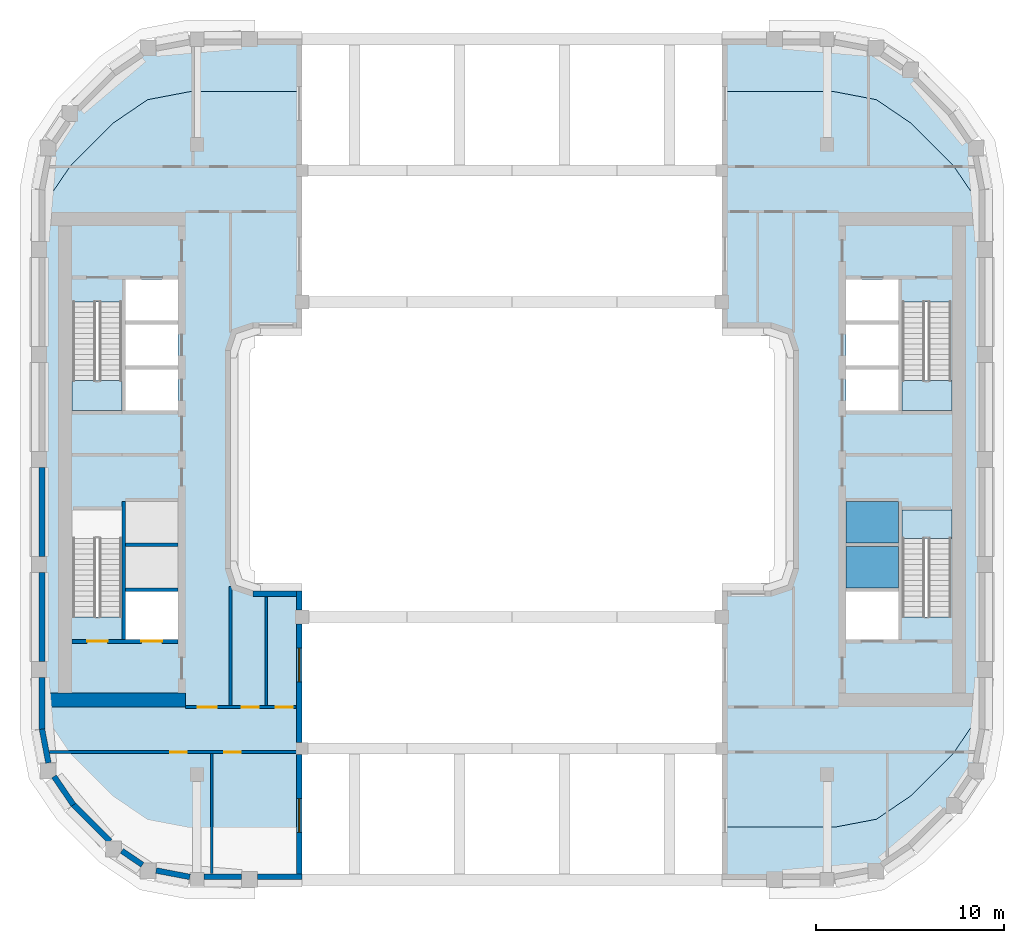
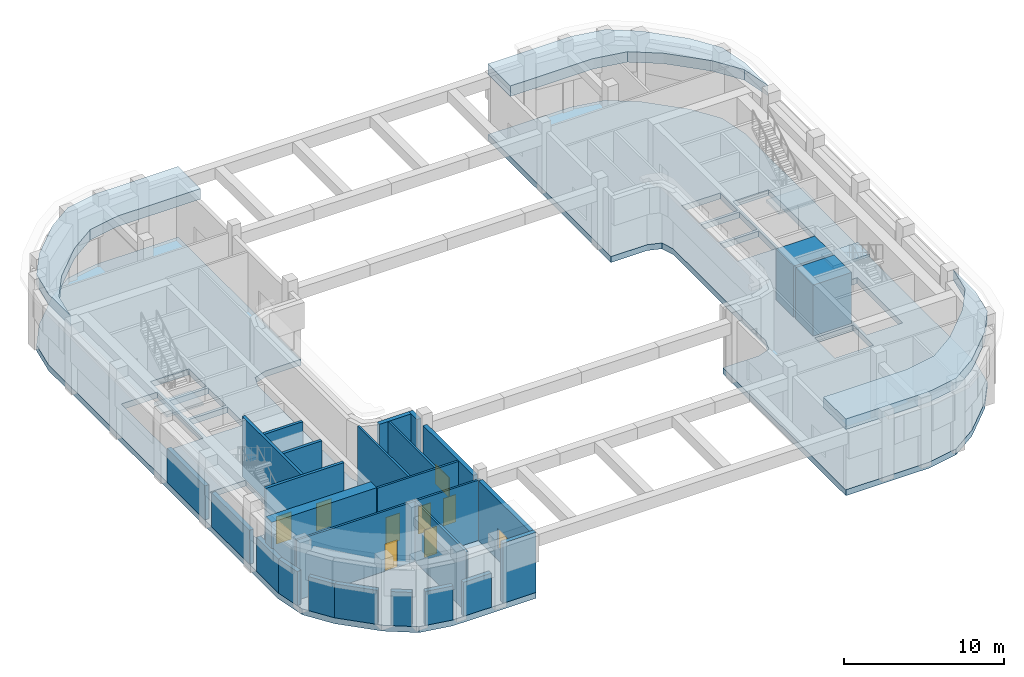
# One storey, part 2 of 13: 24 walls, 10 slabs, 7 doors, 2 windows, 9 openings, 3 elements without a shape of their own.
"""IFC4 building model written with IfcOpenShell, lengths in metres."""

from ifc_helpers import new_model, si_unit, direction, frame, frame_2d, origin, place, context, subcontext, project, spatial, polyline, rectangle, outline, extrude, material, layer, layer_set, type_object, element, fill, aggregate, save


model = new_model("IFC4")

# Units and contexts
model_context = context("Model", 3, precision=1e-05, world=origin(), true_north=direction((0.0, 1.0)))
body_context = subcontext(model_context, "Body", "Model", "MODEL_VIEW")
ifc_project = project(units=[si_unit("LENGTHUNIT", "METRE"), si_unit("AREAUNIT", "SQUARE_METRE"), si_unit("VOLUMEUNIT", "CUBIC_METRE"), si_unit("PLANEANGLEUNIT", "RADIAN"), si_unit("MASSUNIT", "GRAM", prefix="KILO")], contexts=[model_context])

# Site, building, storey
site_placement = place(None, origin())
site = spatial("IfcSite", under=ifc_project, at=site_placement, CompositionType="ELEMENT")
building_placement = place(site_placement, origin())
building = spatial("IfcBuilding", under=site, at=building_placement, Name="Kiln Ring Residences", CompositionType="ELEMENT")
storey_placement = place(building_placement, frame((0.0, 0.0, 236.300048828125)))
storey = spatial("IfcBuildingStorey", under=building, at=storey_placement, Name="L61", CompositionType="ELEMENT", Elevation=236.300048828125)

# Slabs
ifc_material_1 = material(Name="Concrete C40/50", Category="concrete")
ifc_layer_1 = layer(ifc_material_1, 3.89990234375)
ifc_layer_set_1 = layer_set([ifc_layer_1], Name="CORE-PIT-BASE-3900")
slab_type_1 = type_object("IfcSlabType", Name="CORE-PIT-BASE-3900", PredefinedType="USERDEFINED", material=ifc_layer_set_1)
placement_1 = place(storey_placement, origin())
element("IfcSlab", 1, at=placement_1, inside=storey, type_object=slab_type_1, Name="Lift pit base E-H1", ObjectType="Lift pit base", PredefinedType="USERDEFINED", context=body_context, shape_type="SweptSolid", body=[
    extrude(outline(polyline([(17.800048828125, -6.85009765625), (20.60009765625, -6.85009765625), (20.60009765625, -4.64990234375), (17.800048828125, -4.64990234375), (17.800048828125, -6.85009765625)])), origin(), (0.0, 0.0, 1.0), 3.89990234375),
])
element("IfcSlab", 2, at=placement_1, inside=storey, type_object=slab_type_1, Name="Lift pit base E-H2", ObjectType="Lift pit base", PredefinedType="USERDEFINED", context=body_context, shape_type="SweptSolid", body=[
    extrude(outline(polyline([(17.800048828125, -4.449951171875), (20.60009765625, -4.449951171875), (20.60009765625, -2.25), (17.800048828125, -2.25), (17.800048828125, -4.449951171875)])), origin(), (0.0, 0.0, 1.0), 3.89990234375),
])

# Stair, slab
ifc_material_2 = material(Name="Concrete C40/50", Category="concrete")
stair_type = type_object("IfcStairType", Name="CORE-STAIR", PredefinedType="HALF_TURN_STAIR", material=ifc_material_2)
stair_1 = element("IfcStair", 3, at=placement_1, inside=storey, type_object=stair_type, Name="L61 stair W-STN", PredefinedType="HALF_TURN_STAIR")
ifc_material_3 = material(Name="Concrete C40/50", Category="concrete")
ifc_layer_2 = layer(ifc_material_3, 0.199951171875)
ifc_layer_set_2 = layer_set([ifc_layer_2], Name="CORE-STAIR-LANDING")
slab_type_2 = type_object("IfcSlabType", Name="CORE-STAIR-LANDING", PredefinedType="LANDING", material=ifc_layer_set_2)
placement_2 = place(storey_placement, frame((0.0, 0.0, 2.5)))
slab_3 = element("IfcSlab", 4, at=placement_2, type_object=slab_type_2, Name="W-STN landing 1", PredefinedType="LANDING", context=body_context, shape_type="SweptSolid", body=[
    extrude(outline(polyline([(-23.449951171875, 4.199951171875), (-23.449951171875, 2.60009765625), (-20.800048828125, 2.60009765625), (-20.800048828125, 4.199951171875), (-23.449951171875, 4.199951171875)])), origin(), (0.0, 0.0, 1.0), 0.199951171875),
])
aggregate(stair_1, [slab_3])

stair_2 = element("IfcStair", 5, at=placement_1, inside=storey, type_object=stair_type, Name="L61 stair E-STN", PredefinedType="HALF_TURN_STAIR")
slab_4 = element("IfcSlab", 6, at=placement_2, type_object=slab_type_2, Name="E-STN landing 1", PredefinedType="LANDING", context=body_context, shape_type="SweptSolid", body=[
    extrude(outline(polyline([(20.800048828125, 4.199951171875), (20.800048828125, 2.60009765625), (23.449951171875, 2.60009765625), (23.449951171875, 4.199951171875), (20.800048828125, 4.199951171875)])), origin(), (0.0, 0.0, 1.0), 0.199951171875),
])
aggregate(stair_2, [slab_4])

stair_3 = element("IfcStair", 7, at=placement_1, inside=storey, type_object=stair_type, Name="L61 stair E-STS", PredefinedType="HALF_TURN_STAIR")
slab_5 = element("IfcSlab", 8, at=placement_2, type_object=slab_type_2, Name="E-STS landing 1", PredefinedType="LANDING", context=body_context, shape_type="SweptSolid", body=[
    extrude(outline(polyline([(23.449951171875, -4.199951171875), (23.449951171875, -2.699951171875), (20.800048828125, -2.699951171875), (20.800048828125, -4.199951171875), (23.449951171875, -4.199951171875)])), origin(), (0.0, 0.0, 1.0), 0.199951171875),
])
aggregate(stair_3, [slab_5])

# Slabs
ifc_material_4 = material(Name="Concrete C40/50", Category="concrete")
ifc_layer_3 = layer(ifc_material_4, 0.449951171875)
ifc_layer_set_3 = layer_set([ifc_layer_3], Name="Floor slab 450")
slab_type_3 = type_object("IfcSlabType", Name="Floor slab 450", PredefinedType="FLOOR", material=ifc_layer_set_3)
placement_3 = place(storey_placement, frame((0.0, 0.0, -0.449951171875)))
element("IfcSlab", 9, at=placement_3, inside=storey, type_object=slab_type_3, Name="Floor slab L61 1", PredefinedType="FLOOR", context=body_context, shape_type="SweptSolid", body=[
    extrude(outline(polyline([(-25.199951171875, -14.39990234375), (-24.775634765625, -16.624267578125), (-23.5029296875, -18.4970703125), (-21.297119140625, -20.702880859375), (-19.42431640625, -21.975830078125), (-17.199951171875, -22.39990234375), (-11.199951171875, -22.39990234375), (-11.199951171875, -7.0), (-13.800048828125, -7.0), (-14.699951171875, -6.699951171875), (-15.0, -5.800048828125), (-15.0, 5.800048828125), (-14.699951171875, 6.699951171875), (-13.800048828125, 7.0), (-11.199951171875, 7.0), (-11.199951171875, 22.39990234375), (-17.199951171875, 22.39990234375), (-19.42431640625, 21.975830078125), (-21.297119140625, 20.702880859375), (-23.5029296875, 18.4970703125), (-24.775634765625, 16.624267578125), (-25.199951171875, 14.39990234375), (-25.199951171875, -14.39990234375)]), holes=[polyline([(-17.800048828125, -7.050048828125), (-17.800048828125, -9.60009765625), (-20.60009765625, -9.60009765625), (-20.60009765625, -7.050048828125), (-17.800048828125, -7.050048828125)]), polyline([(-17.800048828125, 2.60009765625), (-20.60009765625, 2.60009765625), (-20.60009765625, 4.800048828125), (-17.800048828125, 4.800048828125), (-17.800048828125, 2.60009765625)]), polyline([(-17.800048828125, 5.0), (-20.60009765625, 5.0), (-20.60009765625, 7.199951171875), (-17.800048828125, 7.199951171875), (-17.800048828125, 5.0)]), polyline([(-17.800048828125, 7.39990234375), (-20.60009765625, 7.39990234375), (-20.60009765625, 9.60009765625), (-17.800048828125, 9.60009765625), (-17.800048828125, 7.39990234375)]), polyline([(-20.800048828125, -8.39794921875), (-23.39990234375, -8.39794921875), (-23.39990234375, -2.699951171875), (-20.800048828125, -2.699951171875), (-20.800048828125, -8.39794921875)]), polyline([(-20.800048828125, 8.39794921875), (-20.800048828125, 2.60009765625), (-23.39990234375, 2.60009765625), (-23.39990234375, 8.39794921875), (-20.800048828125, 8.39794921875)])]), origin(), (0.0, 0.0, 1.0), 0.449951171875),
])
element("IfcSlab", 10, at=placement_3, inside=storey, type_object=slab_type_3, Name="Floor slab L61 2", PredefinedType="FLOOR", context=body_context, shape_type="SweptSolid", body=[
    extrude(outline(polyline([(13.800048828125, -7.0), (11.199951171875, -7.0), (11.199951171875, -22.39990234375), (17.199951171875, -22.39990234375), (19.42431640625, -21.975830078125), (21.297119140625, -20.702880859375), (23.5029296875, -18.4970703125), (24.775634765625, -16.624267578125), (25.199951171875, -14.39990234375), (25.199951171875, 14.39990234375), (24.775634765625, 16.624267578125), (23.5029296875, 18.4970703125), (21.297119140625, 20.702880859375), (19.42431640625, 21.975830078125), (17.199951171875, 22.39990234375), (11.199951171875, 22.39990234375), (11.199951171875, 7.0), (13.800048828125, 7.0), (14.699951171875, 6.699951171875), (15.0, 5.800048828125), (15.0, -5.800048828125), (14.699951171875, -6.699951171875), (13.800048828125, -7.0)]), holes=[polyline([(20.800048828125, -8.39794921875), (20.800048828125, -2.699951171875), (23.39990234375, -2.699951171875), (23.39990234375, -8.39794921875), (20.800048828125, -8.39794921875)]), polyline([(23.39990234375, 2.60009765625), (20.800048828125, 2.60009765625), (20.800048828125, 8.39794921875), (23.39990234375, 8.39794921875), (23.39990234375, 2.60009765625)]), polyline([(17.800048828125, 2.60009765625), (17.800048828125, 4.800048828125), (20.60009765625, 4.800048828125), (20.60009765625, 2.60009765625), (17.800048828125, 2.60009765625)]), polyline([(17.800048828125, 5.0), (17.800048828125, 7.199951171875), (20.60009765625, 7.199951171875), (20.60009765625, 5.0), (17.800048828125, 5.0)]), polyline([(17.800048828125, 7.39990234375), (17.800048828125, 9.60009765625), (20.60009765625, 9.60009765625), (20.60009765625, 7.39990234375), (17.800048828125, 7.39990234375)]), polyline([(20.60009765625, -9.60009765625), (17.800048828125, -9.60009765625), (17.800048828125, -7.050048828125), (20.60009765625, -7.050048828125), (20.60009765625, -9.60009765625)])]), origin(), (0.0, 0.0, 1.0), 0.449951171875),
])
ifc_material_5 = material(Name="Concrete C40/50", Category="concrete")
ifc_layer_4 = layer(ifc_material_5, 0.800048828125)
ifc_layer_set_4 = layer_set([ifc_layer_4], Name="Roof slab 800")
slab_type_4 = type_object("IfcSlabType", Name="Roof slab 800", PredefinedType="ROOF", material=ifc_layer_set_4)
placement_4 = place(storey_placement, frame((0.0, 0.0, 4.599853515625)))
element("IfcSlab", 11, at=placement_4, inside=storey, type_object=slab_type_4, Name="Roof slab L61 2", PredefinedType="ROOF", context=body_context, shape_type="SweptSolid", body=[
    extrude(outline(polyline([(-25.199951171875, 11.602783203125), (-24.776123046875, 13.824462890625), (-23.50341796875, 15.697265625), (-21.29736328125, 17.9033203125), (-19.424560546875, 19.17626953125), (-17.2001953125, 19.6005859375), (-11.199951171875, 19.6005859375), (-11.199951171875, 22.39990234375), (-17.199951171875, 22.39990234375), (-19.42431640625, 21.975830078125), (-21.297119140625, 20.702880859375), (-23.5029296875, 18.4970703125), (-24.775634765625, 16.624267578125), (-25.199951171875, 14.39990234375), (-25.199951171875, 11.602783203125)])), origin(), (0.0, 0.0, 1.0), 0.800048828125),
])
element("IfcSlab", 12, at=placement_4, inside=storey, type_object=slab_type_4, Name="Roof slab L61 3", PredefinedType="ROOF", context=body_context, shape_type="SweptSolid", body=[
    extrude(outline(polyline([(25.199951171875, -11.602783203125), (24.776123046875, -13.824462890625), (23.50341796875, -15.697265625), (21.29736328125, -17.9033203125), (19.424560546875, -19.17626953125), (17.2001953125, -19.6005859375), (11.199951171875, -19.6005859375), (11.199951171875, -22.39990234375), (17.199951171875, -22.39990234375), (19.42431640625, -21.975830078125), (21.297119140625, -20.702880859375), (23.5029296875, -18.4970703125), (24.775634765625, -16.624267578125), (25.199951171875, -14.39990234375), (25.199951171875, -11.602783203125)])), origin(), (0.0, 0.0, 1.0), 0.800048828125),
])
element("IfcSlab", 13, at=placement_4, inside=storey, type_object=slab_type_4, Name="Roof slab L61 4", PredefinedType="ROOF", context=body_context, shape_type="SweptSolid", body=[
    extrude(outline(polyline([(11.199951171875, 19.6005859375), (17.2001953125, 19.6005859375), (19.424560546875, 19.17626953125), (21.29736328125, 17.9033203125), (23.50341796875, 15.697265625), (24.776123046875, 13.824462890625), (25.199951171875, 11.602783203125), (25.199951171875, 14.39990234375), (24.775634765625, 16.624267578125), (23.5029296875, 18.4970703125), (21.297119140625, 20.702880859375), (19.42431640625, 21.975830078125), (17.199951171875, 22.39990234375), (11.199951171875, 22.39990234375), (11.199951171875, 19.6005859375)])), origin(), (0.0, 0.0, 1.0), 0.800048828125),
])

# Walls
ifc_material_6 = material(Name="Gypsum shaft wall system")
ifc_layer_5 = layer(ifc_material_6, 0.199951171875)
ifc_layer_set_5 = layer_set([ifc_layer_5], Name="CORE-SHAFT-WALL-200")
wall_type_1 = type_object("IfcWallType", Name="CORE-SHAFT-WALL-200", PredefinedType="PARTITIONING", material=ifc_layer_set_5)
for number, where, z_axis, x_axis, name in (
    (14, (-17.800048828125, -6.949951171875, 0.0), (0.0, 0.0, 1.0), (-1.0, 0.0, 0.0), "Core partition west L61 2"),
    (15, (-17.800048828125, -4.550048828125, 0.0), (0.0, 0.0, 1.0), (-1.0, 0.0, 0.0), "Core partition west L61 3"),
):
    element("IfcWall", number, at=place(storey_placement, frame(where, z_axis=z_axis, x_axis=x_axis)), inside=storey, type_object=wall_type_1, Name=name, PredefinedType="PARTITIONING", context=body_context, shape_type="SweptSolid", body=[
        extrude(rectangle(XDim=2.800048828125, YDim=0.199951171875, at=frame_2d((1.39990234375, 0.0))), origin(), (0.0, 0.0, 1.0), 4.599853515625),
    ])
ifc_material_7 = material(Name="Concrete C40/50", Category="concrete")
ifc_layer_6 = layer(ifc_material_7, 0.199951171875)
ifc_layer_set_6 = layer_set([ifc_layer_6], Name="CORE-WALL-RC200")
wall_type_2 = type_object("IfcWallType", Name="CORE-WALL-RC200", PredefinedType="SHEAR", material=ifc_layer_set_6)
wall_1_placement = place(storey_placement, frame((-20.699951171875, -9.60009765625, 0.0), z_axis=(0.0, 0.0, 1.0), x_axis=(0.0, 1.0, 0.0)))
element("IfcWall", 16, at=wall_1_placement, inside=storey, type_object=wall_type_2, Name="Core wall west L61 2", PredefinedType="SHEAR", context=body_context, shape_type="SweptSolid", body=[
    extrude(rectangle(XDim=7.35009765625, YDim=0.199951171875, at=frame_2d((3.675048828125, 0.0))), origin(), (0.0, 0.0, 1.0), 4.599853515625),
])

# Wall, openings, doors
wall_2_placement = place(storey_placement, frame((-17.800048828125, -9.699951171875, 0.0), z_axis=(0.0, 0.0, 1.0), x_axis=(-1.0, 0.0, 0.0)))
wall_2 = element("IfcWall", 17, at=wall_2_placement, inside=storey, type_object=wall_type_2, Name="Core wall west L61 8", PredefinedType="SHEAR", context=body_context, shape_type="SweptSolid", body=[
    extrude(rectangle(XDim=5.64990234375, YDim=0.199951171875, at=frame_2d((2.824951171875, 0.0))), origin(), (0.0, 0.0, 1.0), 4.599853515625),
])
opening_1_placement = place(wall_2_placement, frame((0.85009765625, 0.0, 0.0)))
opening_1 = element("IfcOpeningElement", 18, at=opening_1_placement, cuts=wall_2, Name="Opening L61-CW01", PredefinedType="OPENING", context=body_context, shape_type="SweptSolid", body=[
    extrude(rectangle(XDim=1.10009765625, YDim=2.10009765625, at=frame_2d((0.550048828125, 1.050048828125))), frame((0.0, 0.10986328125, 0.0), z_axis=(0.0, -1.0, 0.0), x_axis=(1.0, 0.0, 0.0)), (0.0, 0.0, 1.0), 0.219970703125),
])
opening_2_placement = place(wall_2_placement, frame((3.75, 0.0, 0.0)))
opening_2 = element("IfcOpeningElement", 19, at=opening_2_placement, cuts=wall_2, Name="Opening L61-CW09", PredefinedType="OPENING", context=body_context, shape_type="SweptSolid", body=[
    extrude(rectangle(XDim=1.10009765625, YDim=2.10009765625, at=frame_2d((0.550048828125, 1.050048828125))), frame((0.0, 0.10986328125, 0.0), z_axis=(0.0, -1.0, 0.0), x_axis=(1.0, 0.0, 0.0)), (0.0, 0.0, 1.0), 0.219970703125),
])
ifc_material_8 = material(Name="Steel door leaf", Category="steel")
door_type_1 = type_object("IfcDoorType", Name="CORE-DOOR-LD", OperationType="DOUBLE_DOOR_SLIDING", PredefinedType="DOOR", material=ifc_material_8)
door_1_placement = place(opening_1_placement, origin())
door_1 = element("IfcDoor", 20, at=door_1_placement, inside=storey, type_object=door_type_1, Name="LD W-SV L61-CW01", OperationType="DOUBLE_DOOR_SLIDING", OverallHeight=2.10009765625, OverallWidth=1.10009765625, PredefinedType="DOOR", context=body_context, shape_type="SweptSolid", body=[
    extrude(rectangle(XDim=1.10009765625, YDim=2.10009765625, at=frame_2d((0.550048828125, 1.050048828125))), frame((0.0, 0.02490234375, 0.0), z_axis=(0.0, -1.0, 0.0), x_axis=(1.0, 0.0, 0.0)), (0.0, 0.0, 1.0), 0.050048828125),
])
fill(opening_1, door_1)
ifc_material_9 = material(Name="Steel door leaf", Category="steel")
door_type_2 = type_object("IfcDoorType", Name="CORE-DOOR-STAIR", OperationType="SINGLE_SWING_LEFT", PredefinedType="DOOR", material=ifc_material_9)
door_2_placement = place(opening_2_placement, origin())
door_2 = element("IfcDoor", 21, at=door_2_placement, inside=storey, type_object=door_type_2, Name="Stair W-STS L61-CW09", OperationType="SINGLE_SWING_RIGHT", OverallHeight=2.10009765625, OverallWidth=1.10009765625, PredefinedType="DOOR", context=body_context, shape_type="SweptSolid", body=[
    extrude(rectangle(XDim=1.10009765625, YDim=2.10009765625, at=frame_2d((0.550048828125, 1.050048828125))), frame((0.0, 0.02490234375, 0.0), z_axis=(0.0, -1.0, 0.0), x_axis=(1.0, 0.0, 0.0)), (0.0, 0.0, 1.0), 0.050048828125),
])
fill(opening_2, door_2)

# Walls
ifc_material_10 = material(Name="Concrete C60/75", Category="concrete")
ifc_layer_7 = layer(ifc_material_10, 0.75)
ifc_layer_set_7 = layer_set([ifc_layer_7], Name="CORE-WALL-RC750")
wall_type_3 = type_object("IfcWallType", Name="CORE-WALL-RC750", PredefinedType="SHEAR", material=ifc_layer_set_7)
wall_3_placement = place(storey_placement, frame((-17.39990234375, -12.824951171875, 0.0), z_axis=(0.0, 0.0, 1.0), x_axis=(-1.0, 0.0, 0.0)))
element("IfcWall", 22, at=wall_3_placement, inside=storey, type_object=wall_type_3, Name="Core wall west L61 5", PredefinedType="SHEAR", context=body_context, shape_type="SweptSolid", body=[
    extrude(rectangle(XDim=7.60009765625, YDim=0.75, at=frame_2d((3.800048828125, 0.0))), origin(), (0.0, 0.0, 1.0), 4.599853515625),
])
ifc_material_11 = material(Name="Brick masonry, dark clay brick", Category="masonry")
ifc_layer_8 = layer(ifc_material_11, 0.300048828125)
ifc_layer_set_8 = layer_set([ifc_layer_8], Name="EW-300 BRICK WALL")
wall_type_4 = type_object("IfcWallType", Name="EW-300 BRICK WALL", PredefinedType="SOLIDWALL", material=ifc_layer_set_8)
for number, where, z_axis, x_axis, name in (
    (23, (-25.052734375, -14.371826171875, 0.0), (0.0, 0.0, 1.0), (0.187442908742, -0.982275499014, 0.0), "Facade wall L61 1"),
    (24, (-24.408203125, -16.898193359375, 0.0), (0.0, 0.0, 1.0), (0.562062033417, -0.827095079535, 0.0), "Facade wall L61 2"),
):
    element("IfcWall", number, at=place(storey_placement, frame(where, z_axis=z_axis, x_axis=x_axis)), inside=storey, type_object=wall_type_4, Name=name, PredefinedType="SOLIDWALL", context=body_context, shape_type="SweptSolid", body=[
        extrude(rectangle(XDim=1.831298828125, YDim=0.300048828125, at=frame_2d((0.91552734375, 0.0))), origin(), (0.0, 0.0, 1.0), 2.599853515625),
    ])
wall_4_placement = place(storey_placement, frame((-23.39697265625, -18.390869140625, 0.0), z_axis=(0.0, 0.0, 1.0), x_axis=(0.707106781187, -0.707106781187, 0.0)))
element("IfcWall", 25, at=wall_4_placement, inside=storey, type_object=wall_type_4, Name="Facade wall L61 3", PredefinedType="SOLIDWALL", context=body_context, shape_type="SweptSolid", body=[
    extrude(rectangle(XDim=2.775146484375, YDim=0.300048828125, at=frame_2d((1.3876953125, 0.0))), origin(), (0.0, 0.0, 1.0), 2.599853515625),
])
wall_5_placement = place(storey_placement, frame((-20.7958984375, -20.862060546875, 0.0), z_axis=(0.0, 0.0, 1.0), x_axis=(0.827035970432, -0.562149004813, 0.0)))
element("IfcWall", 26, at=wall_5_placement, inside=storey, type_object=wall_type_4, Name="Facade wall L61 4", PredefinedType="SOLIDWALL", context=body_context, shape_type="SweptSolid", body=[
    extrude(rectangle(XDim=1.3271484375, YDim=0.300048828125, at=frame_2d((0.66357421875, 0.0))), origin(), (0.0, 0.0, 1.0), 2.599853515625),
])
wall_6_placement = place(storey_placement, frame((-18.970703125, -21.90966796875, 0.0), z_axis=(0.0, 0.0, 1.0), x_axis=(0.982300037503, -0.187314271538, 0.0)))
element("IfcWall", 27, at=wall_6_placement, inside=storey, type_object=wall_type_4, Name="Facade wall L61 5", PredefinedType="SOLIDWALL", context=body_context, shape_type="SweptSolid", body=[
    extrude(rectangle(XDim=1.831298828125, YDim=0.300048828125, at=frame_2d((0.91552734375, 0.0))), origin(), (0.0, 0.0, 1.0), 2.599853515625),
])
wall_7_placement = place(storey_placement, frame((-16.425048828125, -22.25, 0.0), z_axis=(0.0, 0.0, 1.0), x_axis=(1.0, 0.0, 0.0)))
element("IfcWall", 28, at=wall_7_placement, inside=storey, type_object=wall_type_4, Name="Facade wall L61 6", PredefinedType="SOLIDWALL", context=body_context, shape_type="SweptSolid", body=[
    extrude(rectangle(XDim=2.0, YDim=0.300048828125, at=frame_2d((1.0, 0.0))), origin(), (0.0, 0.0, 1.0), 2.599853515625),
])
wall_8_placement = place(storey_placement, frame((-13.574951171875, -22.25, 0.0), z_axis=(0.0, 0.0, 1.0), x_axis=(1.0, 0.0, 0.0)))
element("IfcWall", 29, at=wall_8_placement, inside=storey, type_object=wall_type_4, Name="Facade wall L61 7", PredefinedType="SOLIDWALL", context=body_context, shape_type="SweptSolid", body=[
    extrude(rectangle(XDim=2.375, YDim=0.300048828125, at=frame_2d((1.1875, 0.0))), origin(), (0.0, 0.0, 1.0), 4.599853515625),
])

# Wall, opening, window
wall_9_placement = place(storey_placement, frame((-11.35009765625, -22.39990234375, 0.0), z_axis=(0.0, 0.0, 1.0), x_axis=(0.0, 1.0, 0.0)))
wall_9 = element("IfcWall", 30, at=wall_9_placement, inside=storey, type_object=wall_type_4, Name="Facade wall L61 8", PredefinedType="SOLIDWALL", context=body_context, shape_type="SweptSolid", body=[
    extrude(rectangle(XDim=6.6748046875, YDim=0.300048828125, at=frame_2d((3.33740234375, 0.0))), origin(), (0.0, 0.0, 1.0), 4.599853515625),
])
opening_3_placement = place(wall_9_placement, frame((2.52001953125, 0.0, 0.89990234375)))
opening_3 = element("IfcOpeningElement", 31, at=opening_3_placement, cuts=wall_9, Name="Opening LV1", PredefinedType="OPENING", context=body_context, shape_type="SweptSolid", body=[
    extrude(rectangle(XDim=1.800048828125, YDim=1.5, at=frame_2d((0.89990234375, 0.75))), frame((0.0, 0.159912109375, 0.0), z_axis=(0.0, -1.0, 0.0), x_axis=(1.0, 0.0, 0.0)), (0.0, 0.0, 1.0), 0.320068359375),
])
ifc_material_12 = material(Name="Aluminium louvre", Category="aluminium")
window_type = type_object("IfcWindowType", Name="LOUVRED VENT 1800 x 1500", PartitioningType="SINGLE_PANEL", PredefinedType="WINDOW", material=ifc_material_12)
window_1_placement = place(opening_3_placement, origin())
window_1 = element("IfcWindow", 32, at=window_1_placement, inside=storey, type_object=window_type, Name="Louvred vent L61 1", OverallHeight=1.5, OverallWidth=1.800048828125, PartitioningType="SINGLE_PANEL", PredefinedType="WINDOW", context=body_context, shape_type="SweptSolid", body=[
    extrude(rectangle(XDim=1.800048828125, YDim=1.5, at=frame_2d((0.89990234375, 0.75))), frame((0.0, 0.030029296875, 0.0), z_axis=(0.0, -1.0, 0.0), x_axis=(1.0, 0.0, 0.0)), (0.0, 0.0, 1.0), 0.06005859375),
])
fill(opening_3, window_1)

wall_10_placement = place(storey_placement, frame((-11.35009765625, -15.074951171875, 0.0), z_axis=(0.0, 0.0, 1.0), x_axis=(0.0, 1.0, 0.0)))
wall_10 = element("IfcWall", 33, at=wall_10_placement, inside=storey, type_object=wall_type_4, Name="Facade wall L61 9", PredefinedType="SOLIDWALL", context=body_context, shape_type="SweptSolid", body=[
    extrude(rectangle(XDim=6.300048828125, YDim=0.300048828125, at=frame_2d((3.14990234375, 0.0))), origin(), (0.0, 0.0, 1.0), 4.599853515625),
])
opening_4_placement = place(wall_10_placement, frame((3.22509765625, 0.0, 0.89990234375)))
opening_4 = element("IfcOpeningElement", 34, at=opening_4_placement, cuts=wall_10, Name="Opening LV1", PredefinedType="OPENING", context=body_context, shape_type="SweptSolid", body=[
    extrude(rectangle(XDim=1.800048828125, YDim=1.5, at=frame_2d((0.89990234375, 0.75))), frame((0.0, 0.159912109375, 0.0), z_axis=(0.0, -1.0, 0.0), x_axis=(1.0, 0.0, 0.0)), (0.0, 0.0, 1.0), 0.320068359375),
])
window_2_placement = place(opening_4_placement, origin())
window_2 = element("IfcWindow", 35, at=window_2_placement, inside=storey, type_object=window_type, Name="Louvred vent L61 2", OverallHeight=1.5, OverallWidth=1.800048828125, PartitioningType="SINGLE_PANEL", PredefinedType="WINDOW", context=body_context, shape_type="SweptSolid", body=[
    extrude(rectangle(XDim=1.800048828125, YDim=1.5, at=frame_2d((0.89990234375, 0.75))), frame((0.0, 0.030029296875, 0.0), z_axis=(0.0, -1.0, 0.0), x_axis=(1.0, 0.0, 0.0)), (0.0, 0.0, 1.0), 0.06005859375),
])
fill(opening_4, window_2)

# Walls
wall_11_placement = place(storey_placement, frame((-11.35009765625, -8.02490234375, 0.0), z_axis=(0.0, 0.0, 1.0), x_axis=(0.0, 1.0, 0.0)))
element("IfcWall", 36, at=wall_11_placement, inside=storey, type_object=wall_type_4, Name="Facade wall L61 10", PredefinedType="SOLIDWALL", context=body_context, shape_type="SweptSolid", body=[
    extrude(rectangle(XDim=1.02490234375, YDim=0.300048828125, at=frame_2d((0.512451171875, 0.0))), origin(), (0.0, 0.0, 1.0), 4.599853515625),
])
wall_12_placement = place(storey_placement, frame((-11.199951171875, -7.14990234375, 0.0), z_axis=(0.0, 0.0, 1.0), x_axis=(-1.0, 0.0, 0.0)))
element("IfcWall", 37, at=wall_12_placement, inside=storey, type_object=wall_type_4, Name="Facade wall L61 11", PredefinedType="SOLIDWALL", context=body_context, shape_type="SweptSolid", body=[
    extrude(rectangle(XDim=2.60009765625, YDim=0.300048828125, at=frame_2d((1.300048828125, 0.0))), origin(), (0.0, 0.0, 1.0), 4.599853515625),
])
for number, where, z_axis, x_axis, name in (
    (38, (-25.050048828125, -0.425048828125, 0.0), (0.0, 0.0, 1.0), (0.0, -1.0, 0.0), "Facade wall L61 27"),
    (39, (-25.050048828125, -6.02490234375, 0.0), (0.0, 0.0, 1.0), (0.0, -1.0, 0.0), "Facade wall L61 28"),
):
    element("IfcWall", number, at=place(storey_placement, frame(where, z_axis=z_axis, x_axis=x_axis)), inside=storey, type_object=wall_type_4, Name=name, PredefinedType="SOLIDWALL", context=body_context, shape_type="SweptSolid", body=[
        extrude(rectangle(XDim=4.75, YDim=0.300048828125, at=frame_2d((2.375, 0.0))), origin(), (0.0, 0.0, 1.0), 2.599853515625),
    ])
wall_13_placement = place(storey_placement, frame((-25.050048828125, -11.625, 0.0), z_axis=(0.0, 0.0, 1.0), x_axis=(0.0, -1.0, 0.0)))
element("IfcWall", 40, at=wall_13_placement, inside=storey, type_object=wall_type_4, Name="Facade wall L61 29", PredefinedType="SOLIDWALL", context=body_context, shape_type="SweptSolid", body=[
    extrude(rectangle(XDim=2.77490234375, YDim=0.300048828125, at=frame_2d((1.387451171875, 0.0))), origin(), (0.0, 0.0, 1.0), 2.599853515625),
])

# Wall, openings, doors
ifc_material_13 = material(Name="Brick masonry partition", Category="masonry")
ifc_layer_9 = layer(ifc_material_13, 0.14990234375)
ifc_layer_set_9 = layer_set([ifc_layer_9], Name="PARTITION-150-ei60")
wall_type_5 = type_object("IfcWallType", Name="PARTITION-150-ei60", PredefinedType="PARTITIONING", material=ifc_layer_set_9)
wall_14_placement = place(storey_placement, frame((-24.645751953125, -15.60009765625, 0.0), z_axis=(0.0, 0.0, 1.0), x_axis=(1.0, 0.0, 0.0)))
wall_14 = element("IfcWall", 41, at=wall_14_placement, inside=storey, type_object=wall_type_5, Name="Partition 000", PredefinedType="PARTITIONING", context=body_context, shape_type="SweptSolid", body=[
    extrude(rectangle(XDim=13.355712890625, YDim=0.14990234375, at=frame_2d((6.677734375, 0.0))), origin(), (0.0, 0.0, 1.0), 4.599853515625),
])
opening_5_placement = place(wall_14_placement, frame((9.295654296875, 0.0, 0.0)))
opening_5 = element("IfcOpeningElement", 42, at=opening_5_placement, cuts=wall_14, Name="Opening L61-D013", PredefinedType="OPENING", context=body_context, shape_type="SweptSolid", body=[
    extrude(rectangle(XDim=0.89990234375, YDim=2.10009765625, at=frame_2d((0.449951171875, 1.050048828125))), frame((0.0, 0.0849609375, 0.0), z_axis=(0.0, -1.0, 0.0), x_axis=(1.0, 0.0, 0.0)), (0.0, 0.0, 1.0), 0.169921875),
])
opening_6_placement = place(wall_14_placement, frame((6.416748046875, 0.0, 0.0)))
opening_6 = element("IfcOpeningElement", 43, at=opening_6_placement, cuts=wall_14, Name="Opening L61-D014", PredefinedType="OPENING", context=body_context, shape_type="SweptSolid", body=[
    extrude(rectangle(XDim=0.89990234375, YDim=2.10009765625, at=frame_2d((0.449951171875, 1.050048828125))), frame((0.0, 0.0849609375, 0.0), z_axis=(0.0, -1.0, 0.0), x_axis=(1.0, 0.0, 0.0)), (0.0, 0.0, 1.0), 0.169921875),
])
ifc_material_14 = material(Name="Steel faced fire door leaf", Category="steel")
door_type_3 = type_object("IfcDoorType", Name="FLAT-DOOR-900-FR", OperationType="SINGLE_SWING_LEFT", PredefinedType="DOOR", material=ifc_material_14)
door_3_placement = place(opening_5_placement, origin())
door_3 = element("IfcDoor", 44, at=door_3_placement, inside=storey, type_object=door_type_3, Name="Door L61-D013", OperationType="SINGLE_SWING_LEFT", OverallHeight=2.10009765625, OverallWidth=0.89990234375, PredefinedType="DOOR", context=body_context, shape_type="SweptSolid", body=[
    extrude(rectangle(XDim=0.89990234375, YDim=2.10009765625, at=frame_2d((0.449951171875, 1.050048828125))), frame((0.0, 0.02490234375, 0.0), z_axis=(0.0, -1.0, 0.0), x_axis=(1.0, 0.0, 0.0)), (0.0, 0.0, 1.0), 0.050048828125),
])
fill(opening_5, door_3)
door_4_placement = place(opening_6_placement, origin())
door_4 = element("IfcDoor", 45, at=door_4_placement, inside=storey, type_object=door_type_3, Name="Door L61-D014", OperationType="SINGLE_SWING_RIGHT", OverallHeight=2.10009765625, OverallWidth=0.89990234375, PredefinedType="DOOR", context=body_context, shape_type="SweptSolid", body=[
    extrude(rectangle(XDim=0.89990234375, YDim=2.10009765625, at=frame_2d((0.449951171875, 1.050048828125))), frame((0.0, 0.02490234375, 0.0), z_axis=(0.0, -1.0, 0.0), x_axis=(1.0, 0.0, 0.0)), (0.0, 0.0, 1.0), 0.050048828125),
])
fill(opening_6, door_4)

wall_15_placement = place(storey_placement, frame((-17.39990234375, -13.199951171875, 0.0), z_axis=(0.0, 0.0, 1.0), x_axis=(1.0, 0.0, 0.0)))
wall_15 = element("IfcWall", 46, at=wall_15_placement, inside=storey, type_object=wall_type_5, Name="Partition 002", PredefinedType="PARTITIONING", context=body_context, shape_type="SweptSolid", body=[
    extrude(rectangle(XDim=5.8798828125, YDim=0.14990234375, at=frame_2d((2.93994140625, 0.0))), origin(), (0.0, 0.0, 1.0), 4.599853515625),
])
opening_7_placement = place(wall_15_placement, frame((0.64990234375, 0.0, 0.0)))
opening_7 = element("IfcOpeningElement", 47, at=opening_7_placement, cuts=wall_15, Name="Opening L61-D010", PredefinedType="OPENING", context=body_context, shape_type="SweptSolid", body=[
    extrude(rectangle(XDim=1.0, YDim=2.10009765625, at=frame_2d((0.5, 1.050048828125))), frame((0.0, 0.0849609375, 0.0), z_axis=(0.0, -1.0, 0.0), x_axis=(1.0, 0.0, 0.0)), (0.0, 0.0, 1.0), 0.169921875),
])
opening_8_placement = place(wall_15_placement, frame((4.81005859375, 0.0, 0.0)))
opening_8 = element("IfcOpeningElement", 48, at=opening_8_placement, cuts=wall_15, Name="Opening L61-D011", PredefinedType="OPENING", context=body_context, shape_type="SweptSolid", body=[
    extrude(rectangle(XDim=0.89990234375, YDim=2.10009765625, at=frame_2d((0.449951171875, 1.050048828125))), frame((0.0, 0.0849609375, 0.0), z_axis=(0.0, -1.0, 0.0), x_axis=(1.0, 0.0, 0.0)), (0.0, 0.0, 1.0), 0.169921875),
])
opening_9_placement = place(wall_15_placement, frame((3.0, 0.0, 0.0)))
opening_9 = element("IfcOpeningElement", 49, at=opening_9_placement, cuts=wall_15, Name="Opening L61-D012", PredefinedType="OPENING", context=body_context, shape_type="SweptSolid", body=[
    extrude(rectangle(XDim=0.89990234375, YDim=2.10009765625, at=frame_2d((0.449951171875, 1.050048828125))), frame((0.0, 0.0849609375, 0.0), z_axis=(0.0, -1.0, 0.0), x_axis=(1.0, 0.0, 0.0)), (0.0, 0.0, 1.0), 0.169921875),
])
ifc_material_15 = material(Name="Steel faced fire door leaf", Category="steel")
door_type_4 = type_object("IfcDoorType", Name="FLAT-DOOR-1000-FR", OperationType="SINGLE_SWING_LEFT", PredefinedType="DOOR", material=ifc_material_15)
door_5_placement = place(opening_7_placement, origin())
door_5 = element("IfcDoor", 50, at=door_5_placement, inside=storey, type_object=door_type_4, Name="Door L61-D010", OperationType="SINGLE_SWING_LEFT", OverallHeight=2.10009765625, OverallWidth=1.0, PredefinedType="DOOR", context=body_context, shape_type="SweptSolid", body=[
    extrude(rectangle(XDim=1.0, YDim=2.10009765625, at=frame_2d((0.5, 1.050048828125))), frame((0.0, 0.02490234375, 0.0), z_axis=(0.0, -1.0, 0.0), x_axis=(1.0, 0.0, 0.0)), (0.0, 0.0, 1.0), 0.050048828125),
])
fill(opening_7, door_5)
door_6_placement = place(opening_8_placement, origin())
door_6 = element("IfcDoor", 51, at=door_6_placement, inside=storey, type_object=door_type_3, Name="Door L61-D011", OperationType="SINGLE_SWING_LEFT", OverallHeight=2.10009765625, OverallWidth=0.89990234375, PredefinedType="DOOR", context=body_context, shape_type="SweptSolid", body=[
    extrude(rectangle(XDim=0.89990234375, YDim=2.10009765625, at=frame_2d((0.449951171875, 1.050048828125))), frame((0.0, 0.02490234375, 0.0), z_axis=(0.0, -1.0, 0.0), x_axis=(1.0, 0.0, 0.0)), (0.0, 0.0, 1.0), 0.050048828125),
])
fill(opening_8, door_6)
door_7_placement = place(opening_9_placement, origin())
door_7 = element("IfcDoor", 52, at=door_7_placement, inside=storey, type_object=door_type_3, Name="Door L61-D012", OperationType="SINGLE_SWING_RIGHT", OverallHeight=2.10009765625, OverallWidth=0.89990234375, PredefinedType="DOOR", context=body_context, shape_type="SweptSolid", body=[
    extrude(rectangle(XDim=0.89990234375, YDim=2.10009765625, at=frame_2d((0.449951171875, 1.050048828125))), frame((0.0, 0.02490234375, 0.0), z_axis=(0.0, -1.0, 0.0), x_axis=(1.0, 0.0, 0.0)), (0.0, 0.0, 1.0), 0.050048828125),
])
fill(opening_9, door_7)

# Walls
wall_16_placement = place(storey_placement, frame((-16.0, -22.080078125, 0.0), z_axis=(0.0, 0.0, 1.0), x_axis=(0.0, 1.0, 0.0)))
element("IfcWall", 53, at=wall_16_placement, inside=storey, type_object=wall_type_5, Name="Partition 009", PredefinedType="PARTITIONING", context=body_context, shape_type="SweptSolid", body=[
    extrude(rectangle(XDim=6.405029296875, YDim=0.14990234375, at=frame_2d((3.20263671875, 0.0))), origin(), (0.0, 0.0, 1.0), 4.599853515625),
])
wall_17_placement = place(storey_placement, frame((-15.0, -13.125, 0.0), z_axis=(0.0, 0.0, 1.0), x_axis=(0.0, 1.0, 0.0)))
element("IfcWall", 54, at=wall_17_placement, inside=storey, type_object=wall_type_5, Name="Partition 010", PredefinedType="PARTITIONING", context=body_context, shape_type="SweptSolid", body=[
    extrude(rectangle(XDim=6.356201171875, YDim=0.14990234375, at=frame_2d((3.17822265625, 0.0))), origin(), (0.0, 0.0, 1.0), 4.599853515625),
])
wall_18_placement = place(storey_placement, frame((-13.10009765625, -13.125, 0.0), z_axis=(0.0, 0.0, 1.0), x_axis=(0.0, 1.0, 0.0)))
element("IfcWall", 55, at=wall_18_placement, inside=storey, type_object=wall_type_5, Name="Partition 012", PredefinedType="PARTITIONING", context=body_context, shape_type="SweptSolid", body=[
    extrude(rectangle(XDim=5.804931640625, YDim=0.14990234375, at=frame_2d((2.90234375, 0.0))), origin(), (0.0, 0.0, 1.0), 4.599853515625),
])

save(model, "model.ifc")
